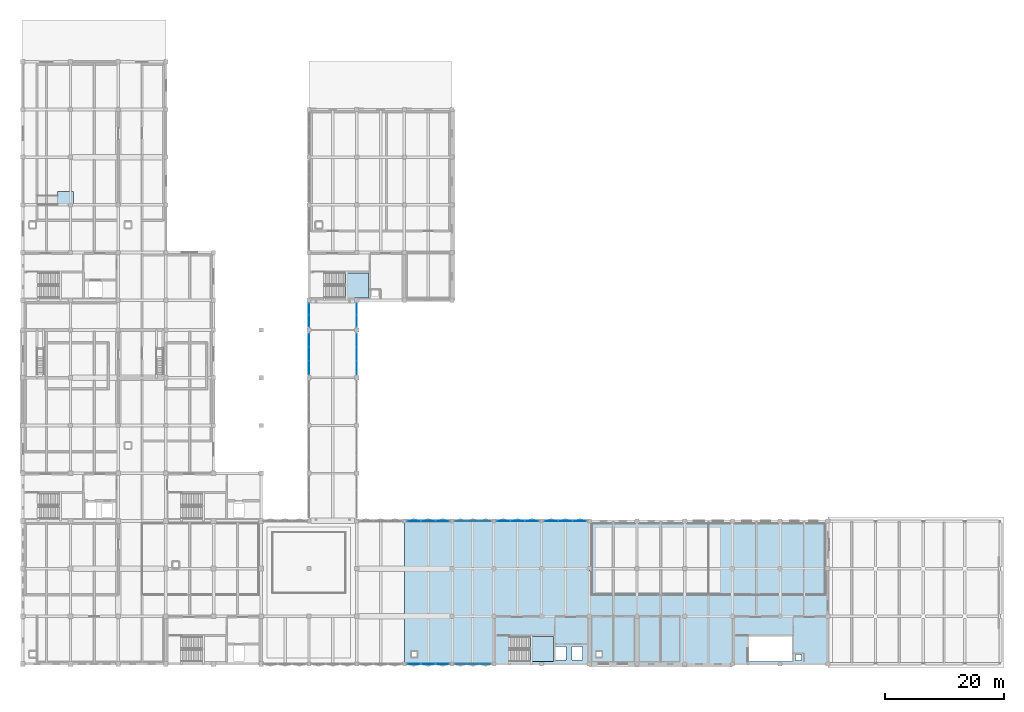
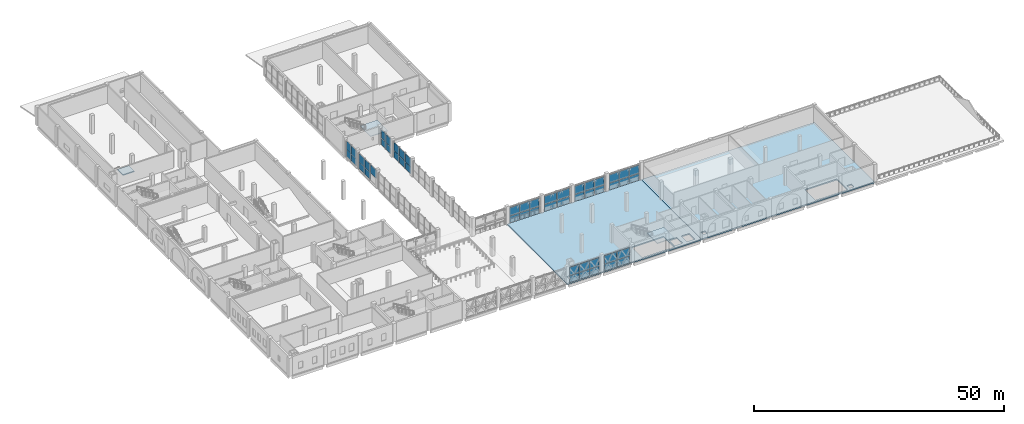
# One storey, part 21 of 45: 51 plates, 5 slabs, 12 elements without a shape of their own.
"""IFC4 building model written with IfcOpenShell, lengths in metres."""

from ifc_helpers import new_model, si_unit, direction, frame, origin, origin_2d, place, context, subcontext, project, spatial, polyline, rectangle, outline, extrude, material, layer, layer_set, type_object, element, aggregate, save


model = new_model("IFC4")

# Units and contexts
model_context = context("Model", 3, precision=1e-05, world=origin(), true_north=direction((0.0, 1.0)))
body_context = subcontext(model_context, "Body", "Model", "MODEL_VIEW")
ifc_project = project(units=[si_unit("LENGTHUNIT", "METRE"), si_unit("AREAUNIT", "SQUARE_METRE"), si_unit("VOLUMEUNIT", "CUBIC_METRE"), si_unit("PLANEANGLEUNIT", "RADIAN"), si_unit("MASSUNIT", "GRAM", prefix="KILO")], contexts=[model_context])

# Site, building, storey
site_placement = place(None, origin())
site = spatial("IfcSite", under=ifc_project, at=site_placement, CompositionType="ELEMENT")
building_placement = place(site_placement, origin())
building = spatial("IfcBuilding", under=site, at=building_placement, Name="Qorikala Patio Media Centre", CompositionType="ELEMENT")
storey_placement = place(building_placement, frame((0.0, 0.0, 9.89990234375)))
storey = spatial("IfcBuildingStorey", under=building, at=storey_placement, Name="L02", CompositionType="ELEMENT", Elevation=9.89990234375)

# Curtain wall, plates
ifc_material_1 = material(Name="Bronze Anodised Aluminium and Low-E Glass", Category="aluminium")
ifc_layer_1 = layer(ifc_material_1, 0.159912109375)
ifc_layer_set_1 = layer_set([ifc_layer_1], Name="Bronze Anodised Aluminium and Low-E Glass")
curtain_wall_type_1 = type_object("IfcCurtainWallType", Name="CW-BRG-696X385", PredefinedType="USERDEFINED", material=ifc_layer_set_1)
curtain_wall_1_placement = place(storey_placement, origin())
curtain_wall_1 = element("IfcCurtainWall", 1, at=curtain_wall_1_placement, inside=storey, type_object=curtain_wall_type_1, Name="L02 Courtyard Curtain Wall 049", ObjectType="COURTYARD CURTAIN WALL", PredefinedType="USERDEFINED")
ifc_material_2 = material(Name="Low-E Double Glazing Glass", Category="glass")
ifc_layer_2 = layer(ifc_material_2, 0.028076171875)
ifc_layer_set_2 = layer_set([ifc_layer_2], Name="Low-E Double Glazing Glass")
plate_type_1 = type_object("IfcPlateType", Name="CWP-28", PredefinedType="CURTAIN_PANEL", material=ifc_layer_set_2)
plate_1_placement = place(storey_placement, frame((51.0, 52.695068359375, 1.7626953125), z_axis=(0.0, 0.0, 1.0), x_axis=(0.0, 1.0, 0.0)))
plate_1 = element("IfcPlate", 2, at=plate_1_placement, type_object=plate_type_1, Name="CWB696385 panel 1.2", PredefinedType="CURTAIN_PANEL", context=body_context, shape_type="SweptSolid", body=[
    extrude(rectangle(XDim=2.22998046875, YDim=0.028076171875, at=origin_2d()), origin(), (0.0, 0.0, 1.0), 2.027587890625),
])
plate_2_placement = place(storey_placement, frame((51.0, 55.0, 0.06005859375), z_axis=(0.0, 0.0, 1.0), x_axis=(0.0, 1.0, 0.0)))
plate_2 = element("IfcPlate", 3, at=plate_2_placement, type_object=plate_type_1, Name="CWB696385 panel 2.1", PredefinedType="CURTAIN_PANEL", context=body_context, shape_type="SweptSolid", body=[
    extrude(rectangle(XDim=2.260009765625, YDim=0.028076171875, at=origin_2d()), origin(), (0.0, 0.0, 1.0), 1.642578125),
])
plate_3_placement = place(storey_placement, frame((51.0, 55.0, 1.7626953125), z_axis=(0.0, 0.0, 1.0), x_axis=(0.0, 1.0, 0.0)))
plate_3 = element("IfcPlate", 4, at=plate_3_placement, type_object=plate_type_1, Name="CWB696385 panel 2.2", PredefinedType="CURTAIN_PANEL", context=body_context, shape_type="SweptSolid", body=[
    extrude(rectangle(XDim=2.260009765625, YDim=0.028076171875, at=origin_2d()), origin(), (0.0, 0.0, 1.0), 2.027587890625),
])
plate_4_placement = place(storey_placement, frame((51.0, 57.304931640625, 0.06005859375), z_axis=(0.0, 0.0, 1.0), x_axis=(0.0, 1.0, 0.0)))
plate_4 = element("IfcPlate", 5, at=plate_4_placement, type_object=plate_type_1, Name="CWB696385 panel 3.1", PredefinedType="CURTAIN_PANEL", context=body_context, shape_type="SweptSolid", body=[
    extrude(rectangle(XDim=2.22998046875, YDim=0.028076171875, at=origin_2d()), origin(), (0.0, 0.0, 1.0), 1.642578125),
])
plate_5_placement = place(storey_placement, frame((51.0, 57.304931640625, 1.7626953125), z_axis=(0.0, 0.0, 1.0), x_axis=(0.0, 1.0, 0.0)))
plate_5 = element("IfcPlate", 6, at=plate_5_placement, type_object=plate_type_1, Name="CWB696385 panel 3.2", PredefinedType="CURTAIN_PANEL", context=body_context, shape_type="SweptSolid", body=[
    extrude(rectangle(XDim=2.22998046875, YDim=0.028076171875, at=origin_2d()), origin(), (0.0, 0.0, 1.0), 2.027587890625),
])
aggregate(curtain_wall_1, [plate_1, plate_2, plate_3, plate_4, plate_5])

ifc_layer_3 = layer(ifc_material_1, 0.159912109375)
ifc_layer_set_3 = layer_set([ifc_layer_3], Name="Bronze Anodised Aluminium and Low-E Glass")
curtain_wall_type_2 = type_object("IfcCurtainWallType", Name="CW-BRG-396X385", PredefinedType="USERDEFINED", material=ifc_layer_set_3)
curtain_wall_2_placement = place(storey_placement, origin())
curtain_wall_2 = element("IfcCurtainWall", 7, at=curtain_wall_2_placement, inside=storey, type_object=curtain_wall_type_2, Name="L02 Courtyard Curtain Wall 050", ObjectType="COURTYARD CURTAIN WALL", PredefinedType="USERDEFINED")
plate_6_placement = place(storey_placement, frame((51.0, 60.52490234375, 0.06005859375), z_axis=(0.0, 0.0, 1.0), x_axis=(0.0, 1.0, 0.0)))
plate_6 = element("IfcPlate", 8, at=plate_6_placement, type_object=plate_type_1, Name="CWB396385 panel 1.1", PredefinedType="CURTAIN_PANEL", context=body_context, shape_type="SweptSolid", body=[
    extrude(rectangle(XDim=1.889892578125, YDim=0.028076171875, at=origin_2d()), origin(), (0.0, 0.0, 1.0), 1.642578125),
])
plate_7_placement = place(storey_placement, frame((51.0, 60.52490234375, 1.7626953125), z_axis=(0.0, 0.0, 1.0), x_axis=(0.0, 1.0, 0.0)))
plate_7 = element("IfcPlate", 9, at=plate_7_placement, type_object=plate_type_1, Name="CWB396385 panel 1.2", PredefinedType="CURTAIN_PANEL", context=body_context, shape_type="SweptSolid", body=[
    extrude(rectangle(XDim=1.889892578125, YDim=0.028076171875, at=origin_2d()), origin(), (0.0, 0.0, 1.0), 2.027587890625),
])
plate_8_placement = place(storey_placement, frame((51.0, 62.47509765625, 0.06005859375), z_axis=(0.0, 0.0, 1.0), x_axis=(0.0, 1.0, 0.0)))
plate_8 = element("IfcPlate", 10, at=plate_8_placement, type_object=plate_type_1, Name="CWB396385 panel 2.1", PredefinedType="CURTAIN_PANEL", context=body_context, shape_type="SweptSolid", body=[
    extrude(rectangle(XDim=1.889892578125, YDim=0.028076171875, at=origin_2d()), origin(), (0.0, 0.0, 1.0), 1.642578125),
])
plate_9_placement = place(storey_placement, frame((51.0, 62.47509765625, 1.7626953125), z_axis=(0.0, 0.0, 1.0), x_axis=(0.0, 1.0, 0.0)))
plate_9 = element("IfcPlate", 11, at=plate_9_placement, type_object=plate_type_1, Name="CWB396385 panel 2.2", PredefinedType="CURTAIN_PANEL", context=body_context, shape_type="SweptSolid", body=[
    extrude(rectangle(XDim=1.889892578125, YDim=0.028076171875, at=origin_2d()), origin(), (0.0, 0.0, 1.0), 2.027587890625),
])
aggregate(curtain_wall_2, [plate_6, plate_7, plate_8, plate_9])

curtain_wall_3_placement = place(storey_placement, origin())
curtain_wall_3 = element("IfcCurtainWall", 12, at=curtain_wall_3_placement, inside=storey, type_object=curtain_wall_type_2, Name="L02 Courtyard Curtain Wall 054", ObjectType="COURTYARD CURTAIN WALL", PredefinedType="USERDEFINED")
plate_10_placement = place(storey_placement, frame((59.0, 62.47509765625, 0.06005859375), z_axis=(0.0, 0.0, 1.0), x_axis=(0.0, -1.0, 0.0)))
plate_10 = element("IfcPlate", 13, at=plate_10_placement, type_object=plate_type_1, Name="CWB396385 panel 1.1", PredefinedType="CURTAIN_PANEL", context=body_context, shape_type="SweptSolid", body=[
    extrude(rectangle(XDim=1.889892578125, YDim=0.028076171875, at=origin_2d()), origin(), (0.0, 0.0, 1.0), 1.642578125),
])
plate_11_placement = place(storey_placement, frame((59.0, 62.47509765625, 1.7626953125), z_axis=(0.0, 0.0, 1.0), x_axis=(0.0, -1.0, 0.0)))
plate_11 = element("IfcPlate", 14, at=plate_11_placement, type_object=plate_type_1, Name="CWB396385 panel 1.2", PredefinedType="CURTAIN_PANEL", context=body_context, shape_type="SweptSolid", body=[
    extrude(rectangle(XDim=1.889892578125, YDim=0.028076171875, at=origin_2d()), origin(), (0.0, 0.0, 1.0), 2.027587890625),
])
plate_12_placement = place(storey_placement, frame((59.0, 60.52490234375, 0.06005859375), z_axis=(0.0, 0.0, 1.0), x_axis=(0.0, -1.0, 0.0)))
plate_12 = element("IfcPlate", 15, at=plate_12_placement, type_object=plate_type_1, Name="CWB396385 panel 2.1", PredefinedType="CURTAIN_PANEL", context=body_context, shape_type="SweptSolid", body=[
    extrude(rectangle(XDim=1.889892578125, YDim=0.028076171875, at=origin_2d()), origin(), (0.0, 0.0, 1.0), 1.642578125),
])
plate_13_placement = place(storey_placement, frame((59.0, 60.52490234375, 1.7626953125), z_axis=(0.0, 0.0, 1.0), x_axis=(0.0, -1.0, 0.0)))
plate_13 = element("IfcPlate", 16, at=plate_13_placement, type_object=plate_type_1, Name="CWB396385 panel 2.2", PredefinedType="CURTAIN_PANEL", context=body_context, shape_type="SweptSolid", body=[
    extrude(rectangle(XDim=1.889892578125, YDim=0.028076171875, at=origin_2d()), origin(), (0.0, 0.0, 1.0), 2.027587890625),
])
aggregate(curtain_wall_3, [plate_10, plate_11, plate_12, plate_13])

curtain_wall_4_placement = place(storey_placement, origin())
curtain_wall_4 = element("IfcCurtainWall", 17, at=curtain_wall_4_placement, inside=storey, type_object=curtain_wall_type_1, Name="L02 Courtyard Curtain Wall 055", ObjectType="COURTYARD CURTAIN WALL", PredefinedType="USERDEFINED")
plate_14_placement = place(storey_placement, frame((59.0, 57.304931640625, 0.06005859375), z_axis=(0.0, 0.0, 1.0), x_axis=(0.0, -1.0, 0.0)))
plate_14 = element("IfcPlate", 18, at=plate_14_placement, type_object=plate_type_1, Name="CWB696385 panel 1.1", PredefinedType="CURTAIN_PANEL", context=body_context, shape_type="SweptSolid", body=[
    extrude(rectangle(XDim=2.22998046875, YDim=0.028076171875, at=origin_2d()), origin(), (0.0, 0.0, 1.0), 1.642578125),
])
plate_15_placement = place(storey_placement, frame((59.0, 57.304931640625, 1.7626953125), z_axis=(0.0, 0.0, 1.0), x_axis=(0.0, -1.0, 0.0)))
plate_15 = element("IfcPlate", 19, at=plate_15_placement, type_object=plate_type_1, Name="CWB696385 panel 1.2", PredefinedType="CURTAIN_PANEL", context=body_context, shape_type="SweptSolid", body=[
    extrude(rectangle(XDim=2.22998046875, YDim=0.028076171875, at=origin_2d()), origin(), (0.0, 0.0, 1.0), 2.027587890625),
])
plate_16_placement = place(storey_placement, frame((59.0, 55.0, 0.06005859375), z_axis=(0.0, 0.0, 1.0), x_axis=(0.0, -1.0, 0.0)))
plate_16 = element("IfcPlate", 20, at=plate_16_placement, type_object=plate_type_1, Name="CWB696385 panel 2.1", PredefinedType="CURTAIN_PANEL", context=body_context, shape_type="SweptSolid", body=[
    extrude(rectangle(XDim=2.260009765625, YDim=0.028076171875, at=origin_2d()), origin(), (0.0, 0.0, 1.0), 1.642578125),
])
plate_17_placement = place(storey_placement, frame((59.0, 55.0, 1.7626953125), z_axis=(0.0, 0.0, 1.0), x_axis=(0.0, -1.0, 0.0)))
plate_17 = element("IfcPlate", 21, at=plate_17_placement, type_object=plate_type_1, Name="CWB696385 panel 2.2", PredefinedType="CURTAIN_PANEL", context=body_context, shape_type="SweptSolid", body=[
    extrude(rectangle(XDim=2.260009765625, YDim=0.028076171875, at=origin_2d()), origin(), (0.0, 0.0, 1.0), 2.027587890625),
])
plate_18_placement = place(storey_placement, frame((59.0, 52.695068359375, 0.06005859375), z_axis=(0.0, 0.0, 1.0), x_axis=(0.0, -1.0, 0.0)))
plate_18 = element("IfcPlate", 22, at=plate_18_placement, type_object=plate_type_1, Name="CWB696385 panel 3.1", PredefinedType="CURTAIN_PANEL", context=body_context, shape_type="SweptSolid", body=[
    extrude(rectangle(XDim=2.22998046875, YDim=0.028076171875, at=origin_2d()), origin(), (0.0, 0.0, 1.0), 1.642578125),
])
plate_19_placement = place(storey_placement, frame((59.0, 52.695068359375, 1.7626953125), z_axis=(0.0, 0.0, 1.0), x_axis=(0.0, -1.0, 0.0)))
plate_19 = element("IfcPlate", 23, at=plate_19_placement, type_object=plate_type_1, Name="CWB696385 panel 3.2", PredefinedType="CURTAIN_PANEL", context=body_context, shape_type="SweptSolid", body=[
    extrude(rectangle(XDim=2.22998046875, YDim=0.028076171875, at=origin_2d()), origin(), (0.0, 0.0, 1.0), 2.027587890625),
])
aggregate(curtain_wall_4, [plate_14, plate_15, plate_16, plate_17, plate_18, plate_19])

ifc_material_3 = material(Name="Golden Bronze Anodised Aluminium and Low-E Glass", Category="aluminium")
ifc_layer_4 = layer(ifc_material_3, 0.159912109375)
ifc_layer_set_4 = layer_set([ifc_layer_4], Name="Golden Bronze Anodised Aluminium and Low-E Glass")
curtain_wall_type_3 = type_object("IfcCurtainWallType", Name="CW-DIA-596X385", PredefinedType="USERDEFINED", material=ifc_layer_set_4)
curtain_wall_5_placement = place(storey_placement, origin())
curtain_wall_5 = element("IfcCurtainWall", 24, at=curtain_wall_5_placement, inside=storey, type_object=curtain_wall_type_3, Name="L02 Courtyard Curtain Wall 040", ObjectType="COURTYARD CURTAIN WALL", PredefinedType="USERDEFINED")
ifc_material_4 = material(Name="Solar-Control Diamond Facet Glass", Category="glass")
ifc_layer_5 = layer(ifc_material_4, 0.035888671875)
ifc_layer_set_5 = layer_set([ifc_layer_5], Name="Solar-Control Diamond Facet Glass")
plate_type_2 = type_object("IfcPlateType", Name="CWP-36", PredefinedType="CURTAIN_PANEL", material=ifc_layer_set_5)
plate_20_placement = place(storey_placement, frame((79.9736328125, 3.0, 0.06494140625), z_axis=(0.0, 0.0, 1.0), x_axis=(-1.0, 0.0, 0.0)))
plate_20 = element("IfcPlate", 25, at=plate_20_placement, type_object=plate_type_2, Name="CWD596385 panel 1.1", PredefinedType="CURTAIN_PANEL", context=body_context, shape_type="SweptSolid", body=[
    extrude(rectangle(XDim=2.882568359375, YDim=0.035888671875, at=origin_2d()), origin(), (0.0, 0.0, 1.0), 1.635009765625),
])
plate_21_placement = place(storey_placement, frame((79.9736328125, 3.0, 1.76513671875), z_axis=(0.0, 0.0, 1.0), x_axis=(-1.0, 0.0, 0.0)))
plate_21 = element("IfcPlate", 26, at=plate_21_placement, type_object=plate_type_2, Name="CWD596385 panel 1.2", PredefinedType="CURTAIN_PANEL", context=body_context, shape_type="SweptSolid", body=[
    extrude(rectangle(XDim=2.882568359375, YDim=0.035888671875, at=origin_2d()), origin(), (0.0, 0.0, 1.0), 2.02001953125),
])
plate_22_placement = place(storey_placement, frame((77.0263671875, 3.0, 0.06494140625), z_axis=(0.0, 0.0, 1.0), x_axis=(-1.0, 0.0, 0.0)))
plate_22 = element("IfcPlate", 27, at=plate_22_placement, type_object=plate_type_2, Name="CWD596385 panel 2.1", PredefinedType="CURTAIN_PANEL", context=body_context, shape_type="SweptSolid", body=[
    extrude(rectangle(XDim=2.882568359375, YDim=0.035888671875, at=origin_2d()), origin(), (0.0, 0.0, 1.0), 1.635009765625),
])
plate_23_placement = place(storey_placement, frame((77.0263671875, 3.0, 1.76513671875), z_axis=(0.0, 0.0, 1.0), x_axis=(-1.0, 0.0, 0.0)))
plate_23 = element("IfcPlate", 28, at=plate_23_placement, type_object=plate_type_2, Name="CWD596385 panel 2.2", PredefinedType="CURTAIN_PANEL", context=body_context, shape_type="SweptSolid", body=[
    extrude(rectangle(XDim=2.882568359375, YDim=0.035888671875, at=origin_2d()), origin(), (0.0, 0.0, 1.0), 2.02001953125),
])
aggregate(curtain_wall_5, [plate_20, plate_21, plate_22, plate_23])

ifc_layer_6 = layer(ifc_material_3, 0.159912109375)
ifc_layer_set_6 = layer_set([ifc_layer_6], Name="Golden Bronze Anodised Aluminium and Low-E Glass")
curtain_wall_type_4 = type_object("IfcCurtainWallType", Name="CW-DIA-696X385", PredefinedType="USERDEFINED", material=ifc_layer_set_6)
curtain_wall_6_placement = place(storey_placement, origin())
curtain_wall_6 = element("IfcCurtainWall", 29, at=curtain_wall_6_placement, inside=storey, type_object=curtain_wall_type_4, Name="L02 Courtyard Curtain Wall 041", ObjectType="COURTYARD CURTAIN WALL", PredefinedType="USERDEFINED")
plate_24_placement = place(storey_placement, frame((73.3037109375, 3.0, 0.06494140625), z_axis=(0.0, 0.0, 1.0), x_axis=(-1.0, 0.0, 0.0)))
plate_24 = element("IfcPlate", 30, at=plate_24_placement, type_object=plate_type_2, Name="CWD696385 panel 1.1", PredefinedType="CURTAIN_PANEL", context=body_context, shape_type="SweptSolid", body=[
    extrude(rectangle(XDim=2.222412109375, YDim=0.035888671875, at=origin_2d()), origin(), (0.0, 0.0, 1.0), 1.635009765625),
])
plate_25_placement = place(storey_placement, frame((73.3037109375, 3.0, 1.76513671875), z_axis=(0.0, 0.0, 1.0), x_axis=(-1.0, 0.0, 0.0)))
plate_25 = element("IfcPlate", 31, at=plate_25_placement, type_object=plate_type_2, Name="CWD696385 panel 1.2", PredefinedType="CURTAIN_PANEL", context=body_context, shape_type="SweptSolid", body=[
    extrude(rectangle(XDim=2.222412109375, YDim=0.035888671875, at=origin_2d()), origin(), (0.0, 0.0, 1.0), 2.02001953125),
])
plate_26_placement = place(storey_placement, frame((71.0, 3.0, 0.06494140625), z_axis=(0.0, 0.0, 1.0), x_axis=(-1.0, 0.0, 0.0)))
plate_26 = element("IfcPlate", 32, at=plate_26_placement, type_object=plate_type_2, Name="CWD696385 panel 2.1", PredefinedType="CURTAIN_PANEL", context=body_context, shape_type="SweptSolid", body=[
    extrude(rectangle(XDim=2.2548828125, YDim=0.035888671875, at=origin_2d()), origin(), (0.0, 0.0, 1.0), 1.635009765625),
])
plate_27_placement = place(storey_placement, frame((71.0, 3.0, 1.76513671875), z_axis=(0.0, 0.0, 1.0), x_axis=(-1.0, 0.0, 0.0)))
plate_27 = element("IfcPlate", 33, at=plate_27_placement, type_object=plate_type_2, Name="CWD696385 panel 2.2", PredefinedType="CURTAIN_PANEL", context=body_context, shape_type="SweptSolid", body=[
    extrude(rectangle(XDim=2.2548828125, YDim=0.035888671875, at=origin_2d()), origin(), (0.0, 0.0, 1.0), 2.02001953125),
])
plate_28_placement = place(storey_placement, frame((68.6962890625, 3.0, 0.06494140625), z_axis=(0.0, 0.0, 1.0), x_axis=(-1.0, 0.0, 0.0)))
plate_28 = element("IfcPlate", 34, at=plate_28_placement, type_object=plate_type_2, Name="CWD696385 panel 3.1", PredefinedType="CURTAIN_PANEL", context=body_context, shape_type="SweptSolid", body=[
    extrude(rectangle(XDim=2.222412109375, YDim=0.035888671875, at=origin_2d()), origin(), (0.0, 0.0, 1.0), 1.635009765625),
])
plate_29_placement = place(storey_placement, frame((68.6962890625, 3.0, 1.76513671875), z_axis=(0.0, 0.0, 1.0), x_axis=(-1.0, 0.0, 0.0)))
plate_29 = element("IfcPlate", 35, at=plate_29_placement, type_object=plate_type_2, Name="CWD696385 panel 3.2", PredefinedType="CURTAIN_PANEL", context=body_context, shape_type="SweptSolid", body=[
    extrude(rectangle(XDim=2.222412109375, YDim=0.035888671875, at=origin_2d()), origin(), (0.0, 0.0, 1.0), 2.02001953125),
])
aggregate(curtain_wall_6, [plate_24, plate_25, plate_26, plate_27, plate_28, plate_29])

curtain_wall_7_placement = place(storey_placement, origin())
curtain_wall_7 = element("IfcCurtainWall", 36, at=curtain_wall_7_placement, inside=storey, type_object=curtain_wall_type_4, Name="L02 Courtyard Curtain Wall 060", ObjectType="COURTYARD CURTAIN WALL", PredefinedType="USERDEFINED")
plate_30_placement = place(storey_placement, frame((68.6962890625, 27.0, 0.06494140625), z_axis=(0.0, 0.0, 1.0), x_axis=(1.0, 0.0, 0.0)))
plate_30 = element("IfcPlate", 37, at=plate_30_placement, type_object=plate_type_2, Name="CWD696385 panel 1.1", PredefinedType="CURTAIN_PANEL", context=body_context, shape_type="SweptSolid", body=[
    extrude(rectangle(XDim=2.222412109375, YDim=0.035888671875, at=origin_2d()), origin(), (0.0, 0.0, 1.0), 1.635009765625),
])
plate_31_placement = place(storey_placement, frame((68.6962890625, 27.0, 1.76513671875), z_axis=(0.0, 0.0, 1.0), x_axis=(1.0, 0.0, 0.0)))
plate_31 = element("IfcPlate", 38, at=plate_31_placement, type_object=plate_type_2, Name="CWD696385 panel 1.2", PredefinedType="CURTAIN_PANEL", context=body_context, shape_type="SweptSolid", body=[
    extrude(rectangle(XDim=2.222412109375, YDim=0.035888671875, at=origin_2d()), origin(), (0.0, 0.0, 1.0), 2.02001953125),
])
plate_32_placement = place(storey_placement, frame((71.0, 27.0, 0.06494140625), z_axis=(0.0, 0.0, 1.0), x_axis=(1.0, 0.0, 0.0)))
plate_32 = element("IfcPlate", 39, at=plate_32_placement, type_object=plate_type_2, Name="CWD696385 panel 2.1", PredefinedType="CURTAIN_PANEL", context=body_context, shape_type="SweptSolid", body=[
    extrude(rectangle(XDim=2.2548828125, YDim=0.035888671875, at=origin_2d()), origin(), (0.0, 0.0, 1.0), 1.635009765625),
])
plate_33_placement = place(storey_placement, frame((71.0, 27.0, 1.76513671875), z_axis=(0.0, 0.0, 1.0), x_axis=(1.0, 0.0, 0.0)))
plate_33 = element("IfcPlate", 40, at=plate_33_placement, type_object=plate_type_2, Name="CWD696385 panel 2.2", PredefinedType="CURTAIN_PANEL", context=body_context, shape_type="SweptSolid", body=[
    extrude(rectangle(XDim=2.2548828125, YDim=0.035888671875, at=origin_2d()), origin(), (0.0, 0.0, 1.0), 2.02001953125),
])
plate_34_placement = place(storey_placement, frame((73.3037109375, 27.0, 0.06494140625), z_axis=(0.0, 0.0, 1.0), x_axis=(1.0, 0.0, 0.0)))
plate_34 = element("IfcPlate", 41, at=plate_34_placement, type_object=plate_type_2, Name="CWD696385 panel 3.1", PredefinedType="CURTAIN_PANEL", context=body_context, shape_type="SweptSolid", body=[
    extrude(rectangle(XDim=2.222412109375, YDim=0.035888671875, at=origin_2d()), origin(), (0.0, 0.0, 1.0), 1.635009765625),
])
plate_35_placement = place(storey_placement, frame((73.3037109375, 27.0, 1.76513671875), z_axis=(0.0, 0.0, 1.0), x_axis=(1.0, 0.0, 0.0)))
plate_35 = element("IfcPlate", 42, at=plate_35_placement, type_object=plate_type_2, Name="CWD696385 panel 3.2", PredefinedType="CURTAIN_PANEL", context=body_context, shape_type="SweptSolid", body=[
    extrude(rectangle(XDim=2.222412109375, YDim=0.035888671875, at=origin_2d()), origin(), (0.0, 0.0, 1.0), 2.02001953125),
])
aggregate(curtain_wall_7, [plate_30, plate_31, plate_32, plate_33, plate_34, plate_35])

curtain_wall_8_placement = place(storey_placement, origin())
curtain_wall_8 = element("IfcCurtainWall", 43, at=curtain_wall_8_placement, inside=storey, type_object=curtain_wall_type_3, Name="L02 Courtyard Curtain Wall 061", ObjectType="COURTYARD CURTAIN WALL", PredefinedType="USERDEFINED")
plate_36_placement = place(storey_placement, frame((77.0263671875, 27.0, 0.06494140625), z_axis=(0.0, 0.0, 1.0), x_axis=(1.0, 0.0, 0.0)))
plate_36 = element("IfcPlate", 44, at=plate_36_placement, type_object=plate_type_2, Name="CWD596385 panel 1.1", PredefinedType="CURTAIN_PANEL", context=body_context, shape_type="SweptSolid", body=[
    extrude(rectangle(XDim=2.882568359375, YDim=0.035888671875, at=origin_2d()), origin(), (0.0, 0.0, 1.0), 1.635009765625),
])
plate_37_placement = place(storey_placement, frame((77.0263671875, 27.0, 1.76513671875), z_axis=(0.0, 0.0, 1.0), x_axis=(1.0, 0.0, 0.0)))
plate_37 = element("IfcPlate", 45, at=plate_37_placement, type_object=plate_type_2, Name="CWD596385 panel 1.2", PredefinedType="CURTAIN_PANEL", context=body_context, shape_type="SweptSolid", body=[
    extrude(rectangle(XDim=2.882568359375, YDim=0.035888671875, at=origin_2d()), origin(), (0.0, 0.0, 1.0), 2.02001953125),
])
plate_38_placement = place(storey_placement, frame((79.9736328125, 27.0, 0.06494140625), z_axis=(0.0, 0.0, 1.0), x_axis=(1.0, 0.0, 0.0)))
plate_38 = element("IfcPlate", 46, at=plate_38_placement, type_object=plate_type_2, Name="CWD596385 panel 2.1", PredefinedType="CURTAIN_PANEL", context=body_context, shape_type="SweptSolid", body=[
    extrude(rectangle(XDim=2.882568359375, YDim=0.035888671875, at=origin_2d()), origin(), (0.0, 0.0, 1.0), 1.635009765625),
])
plate_39_placement = place(storey_placement, frame((79.9736328125, 27.0, 1.76513671875), z_axis=(0.0, 0.0, 1.0), x_axis=(1.0, 0.0, 0.0)))
plate_39 = element("IfcPlate", 47, at=plate_39_placement, type_object=plate_type_2, Name="CWD596385 panel 2.2", PredefinedType="CURTAIN_PANEL", context=body_context, shape_type="SweptSolid", body=[
    extrude(rectangle(XDim=2.882568359375, YDim=0.035888671875, at=origin_2d()), origin(), (0.0, 0.0, 1.0), 2.02001953125),
])
aggregate(curtain_wall_8, [plate_36, plate_37, plate_38, plate_39])

curtain_wall_9_placement = place(storey_placement, origin())
curtain_wall_9 = element("IfcCurtainWall", 48, at=curtain_wall_9_placement, inside=storey, type_object=curtain_wall_type_4, Name="L02 Courtyard Curtain Wall 062", ObjectType="COURTYARD CURTAIN WALL", PredefinedType="USERDEFINED")
plate_40_placement = place(storey_placement, frame((83.6962890625, 27.0, 0.06494140625), z_axis=(0.0, 0.0, 1.0), x_axis=(1.0, 0.0, 0.0)))
plate_40 = element("IfcPlate", 49, at=plate_40_placement, type_object=plate_type_2, Name="CWD696385 panel 1.1", PredefinedType="CURTAIN_PANEL", context=body_context, shape_type="SweptSolid", body=[
    extrude(rectangle(XDim=2.222412109375, YDim=0.035888671875, at=origin_2d()), origin(), (0.0, 0.0, 1.0), 1.635009765625),
])
plate_41_placement = place(storey_placement, frame((83.6962890625, 27.0, 1.76513671875), z_axis=(0.0, 0.0, 1.0), x_axis=(1.0, 0.0, 0.0)))
plate_41 = element("IfcPlate", 50, at=plate_41_placement, type_object=plate_type_2, Name="CWD696385 panel 1.2", PredefinedType="CURTAIN_PANEL", context=body_context, shape_type="SweptSolid", body=[
    extrude(rectangle(XDim=2.222412109375, YDim=0.035888671875, at=origin_2d()), origin(), (0.0, 0.0, 1.0), 2.02001953125),
])
plate_42_placement = place(storey_placement, frame((86.0, 27.0, 0.06494140625), z_axis=(0.0, 0.0, 1.0), x_axis=(1.0, 0.0, 0.0)))
plate_42 = element("IfcPlate", 51, at=plate_42_placement, type_object=plate_type_2, Name="CWD696385 panel 2.1", PredefinedType="CURTAIN_PANEL", context=body_context, shape_type="SweptSolid", body=[
    extrude(rectangle(XDim=2.2548828125, YDim=0.035888671875, at=origin_2d()), origin(), (0.0, 0.0, 1.0), 1.635009765625),
])
plate_43_placement = place(storey_placement, frame((86.0, 27.0, 1.76513671875), z_axis=(0.0, 0.0, 1.0), x_axis=(1.0, 0.0, 0.0)))
plate_43 = element("IfcPlate", 52, at=plate_43_placement, type_object=plate_type_2, Name="CWD696385 panel 2.2", PredefinedType="CURTAIN_PANEL", context=body_context, shape_type="SweptSolid", body=[
    extrude(rectangle(XDim=2.2548828125, YDim=0.035888671875, at=origin_2d()), origin(), (0.0, 0.0, 1.0), 2.02001953125),
])
plate_44_placement = place(storey_placement, frame((88.3037109375, 27.0, 0.06494140625), z_axis=(0.0, 0.0, 1.0), x_axis=(1.0, 0.0, 0.0)))
plate_44 = element("IfcPlate", 53, at=plate_44_placement, type_object=plate_type_2, Name="CWD696385 panel 3.1", PredefinedType="CURTAIN_PANEL", context=body_context, shape_type="SweptSolid", body=[
    extrude(rectangle(XDim=2.222412109375, YDim=0.035888671875, at=origin_2d()), origin(), (0.0, 0.0, 1.0), 1.635009765625),
])
plate_45_placement = place(storey_placement, frame((88.3037109375, 27.0, 1.76513671875), z_axis=(0.0, 0.0, 1.0), x_axis=(1.0, 0.0, 0.0)))
plate_45 = element("IfcPlate", 54, at=plate_45_placement, type_object=plate_type_2, Name="CWD696385 panel 3.2", PredefinedType="CURTAIN_PANEL", context=body_context, shape_type="SweptSolid", body=[
    extrude(rectangle(XDim=2.222412109375, YDim=0.035888671875, at=origin_2d()), origin(), (0.0, 0.0, 1.0), 2.02001953125),
])
aggregate(curtain_wall_9, [plate_40, plate_41, plate_42, plate_43, plate_44, plate_45])

curtain_wall_10_placement = place(storey_placement, origin())
curtain_wall_10 = element("IfcCurtainWall", 55, at=curtain_wall_10_placement, inside=storey, type_object=curtain_wall_type_4, Name="L02 Courtyard Curtain Wall 063", ObjectType="COURTYARD CURTAIN WALL", PredefinedType="USERDEFINED")
plate_46_placement = place(storey_placement, frame((91.6962890625, 27.0, 0.06494140625), z_axis=(0.0, 0.0, 1.0), x_axis=(1.0, 0.0, 0.0)))
plate_46 = element("IfcPlate", 56, at=plate_46_placement, type_object=plate_type_2, Name="CWD696385 panel 1.1", PredefinedType="CURTAIN_PANEL", context=body_context, shape_type="SweptSolid", body=[
    extrude(rectangle(XDim=2.222412109375, YDim=0.035888671875, at=origin_2d()), origin(), (0.0, 0.0, 1.0), 1.635009765625),
])
plate_47_placement = place(storey_placement, frame((91.6962890625, 27.0, 1.76513671875), z_axis=(0.0, 0.0, 1.0), x_axis=(1.0, 0.0, 0.0)))
plate_47 = element("IfcPlate", 57, at=plate_47_placement, type_object=plate_type_2, Name="CWD696385 panel 1.2", PredefinedType="CURTAIN_PANEL", context=body_context, shape_type="SweptSolid", body=[
    extrude(rectangle(XDim=2.222412109375, YDim=0.035888671875, at=origin_2d()), origin(), (0.0, 0.0, 1.0), 2.02001953125),
])
plate_48_placement = place(storey_placement, frame((94.0, 27.0, 0.06494140625), z_axis=(0.0, 0.0, 1.0), x_axis=(1.0, 0.0, 0.0)))
plate_48 = element("IfcPlate", 58, at=plate_48_placement, type_object=plate_type_2, Name="CWD696385 panel 2.1", PredefinedType="CURTAIN_PANEL", context=body_context, shape_type="SweptSolid", body=[
    extrude(rectangle(XDim=2.2548828125, YDim=0.035888671875, at=origin_2d()), origin(), (0.0, 0.0, 1.0), 1.635009765625),
])
plate_49_placement = place(storey_placement, frame((94.0, 27.0, 1.76513671875), z_axis=(0.0, 0.0, 1.0), x_axis=(1.0, 0.0, 0.0)))
plate_49 = element("IfcPlate", 59, at=plate_49_placement, type_object=plate_type_2, Name="CWD696385 panel 2.2", PredefinedType="CURTAIN_PANEL", context=body_context, shape_type="SweptSolid", body=[
    extrude(rectangle(XDim=2.2548828125, YDim=0.035888671875, at=origin_2d()), origin(), (0.0, 0.0, 1.0), 2.02001953125),
])
plate_50_placement = place(storey_placement, frame((96.3037109375, 27.0, 0.06494140625), z_axis=(0.0, 0.0, 1.0), x_axis=(1.0, 0.0, 0.0)))
plate_50 = element("IfcPlate", 60, at=plate_50_placement, type_object=plate_type_2, Name="CWD696385 panel 3.1", PredefinedType="CURTAIN_PANEL", context=body_context, shape_type="SweptSolid", body=[
    extrude(rectangle(XDim=2.222412109375, YDim=0.035888671875, at=origin_2d()), origin(), (0.0, 0.0, 1.0), 1.635009765625),
])
plate_51_placement = place(storey_placement, frame((96.3037109375, 27.0, 1.76513671875), z_axis=(0.0, 0.0, 1.0), x_axis=(1.0, 0.0, 0.0)))
plate_51 = element("IfcPlate", 61, at=plate_51_placement, type_object=plate_type_2, Name="CWD696385 panel 3.2", PredefinedType="CURTAIN_PANEL", context=body_context, shape_type="SweptSolid", body=[
    extrude(rectangle(XDim=2.222412109375, YDim=0.035888671875, at=origin_2d()), origin(), (0.0, 0.0, 1.0), 2.02001953125),
])
aggregate(curtain_wall_10, [plate_46, plate_47, plate_48, plate_49, plate_50, plate_51])

# Slabs
ifc_material_5 = material(Name="Concrete C35/45", Category="concrete")
ifc_layer_7 = layer(ifc_material_5, 0.300048828125)
ifc_layer_set_7 = layer_set([ifc_layer_7], Name="Concrete C35/45")
slab_type_1 = type_object("IfcSlabType", Name="SL-FLOOR-300", PredefinedType="FLOOR", material=ifc_layer_set_7)
slab_1_placement = place(storey_placement, frame((0.0, 0.0, -0.2998046875)))
element("IfcSlab", 62, at=slab_1_placement, inside=storey, type_object=slab_type_1, Name="L02 V2B Slab 4.1", PredefinedType="FLOOR", context=body_context, shape_type="SweptSolid", body=[
    extrude(outline(polyline([(98.0, 3.0), (67.0, 3.0), (67.0, 27.0), (98.0, 27.0), (98.0, 3.0)]), holes=[polyline([(68.199951171875, 4.199951171875), (69.10009765625, 4.199951171875), (69.10009765625, 5.10009765625), (68.199951171875, 5.10009765625), (68.199951171875, 4.199951171875)]), polyline([(92.320068359375, 3.669921875), (94.080078125, 3.669921875), (94.080078125, 5.929931640625), (92.320068359375, 5.929931640625), (92.320068359375, 3.669921875)]), polyline([(95.1201171875, 3.669921875), (96.8798828125, 3.669921875), (96.8798828125, 5.929931640625), (95.1201171875, 5.929931640625), (95.1201171875, 3.669921875)]), polyline([(92.0, 3.39990234375), (92.0, 7.60009765625), (84.60009765625, 7.60009765625), (84.60009765625, 3.39990234375), (92.0, 3.39990234375)])]), origin(), (0.0, 0.0, 1.0), 0.2998046875),
])
slab_2_placement = place(storey_placement, frame((0.0, 0.0, -0.2998046875)))
element("IfcSlab", 63, at=slab_2_placement, inside=storey, type_object=slab_type_1, Name="L02 V7A Slab 9.1", PredefinedType="FLOOR", context=body_context, shape_type="SweptSolid", body=[
    extrude(outline(polyline([(138.0, 3.0), (98.0, 3.0), (98.0, 27.0), (138.0, 27.0), (138.0, 3.0)]), holes=[polyline([(132.60009765625, 3.60009765625), (133.60009765625, 3.60009765625), (133.60009765625, 4.60009765625), (132.60009765625, 4.60009765625), (132.60009765625, 3.60009765625)]), polyline([(100.10009765625, 4.199951171875), (100.10009765625, 5.10009765625), (99.199951171875, 5.10009765625), (99.199951171875, 4.199951171875), (100.10009765625, 4.199951171875)]), polyline([(124.60009765625, 3.39990234375), (132.0, 3.39990234375), (132.0, 7.60009765625), (124.60009765625, 7.60009765625), (124.60009765625, 3.39990234375)])]), origin(), (0.0, 0.0, 1.0), 0.2998046875),
])

# Stair, slab
ifc_material_6 = material(Name="Precast concrete C40/50", Category="concrete")
stair_type = type_object("IfcStairType", Name="ST-DL-26R173W200", PredefinedType="HALF_TURN_STAIR", material=ifc_material_6)
stair_1_placement = place(storey_placement, origin())
stair_1 = element("IfcStair", 64, at=stair_1_placement, inside=storey, type_object=stair_type, Name="L02 Core C4 Exit Stair ST-4", PredefinedType="HALF_TURN_STAIR")
ifc_layer_8 = layer(ifc_material_6, 0.199951171875)
ifc_layer_set_8 = layer_set([ifc_layer_8], Name="Precast concrete C40/50")
slab_type_2 = type_object("IfcSlabType", Name="SL-LAND-200", PredefinedType="LANDING", material=ifc_layer_set_8)
slab_3_placement = place(storey_placement, frame((0.0, 0.0, 2.050048828125)))
slab_3 = element("IfcSlab", 65, at=slab_3_placement, type_object=slab_type_2, Name="ST-4 landing 1", PredefinedType="LANDING", context=body_context, shape_type="SweptSolid", body=[
    extrude(outline(polyline([(88.080078125, 3.39990234375), (92.0, 3.39990234375), (92.0, 7.60009765625), (88.080078125, 7.60009765625), (88.080078125, 3.39990234375)])), origin(), (0.0, 0.0, 1.0), 0.199951171875),
])
aggregate(stair_1, [slab_3])

stair_2_placement = place(storey_placement, origin())
stair_2 = element("IfcStair", 66, at=stair_2_placement, inside=storey, type_object=stair_type, Name="L02 Core C6 Exit Stair ST-6", PredefinedType="HALF_TURN_STAIR")
slab_4_placement = place(storey_placement, frame((0.0, 0.0, 2.050048828125)))
slab_4 = element("IfcSlab", 67, at=slab_4_placement, type_object=slab_type_2, Name="ST-6 landing 1", PredefinedType="LANDING", context=body_context, shape_type="SweptSolid", body=[
    extrude(outline(polyline([(57.080078125, 64.39990234375), (61.0, 64.39990234375), (61.0, 68.60009765625), (57.080078125, 68.60009765625), (57.080078125, 64.39990234375)])), origin(), (0.0, 0.0, 1.0), 0.199951171875),
])
aggregate(stair_2, [slab_4])

# Slab
ifc_layer_9 = layer(ifc_material_5, 0.280029296875)
ifc_layer_set_9 = layer_set([ifc_layer_9], Name="Concrete C35/45")
slab_type_3 = type_object("IfcSlabType", Name="SL-STUDIO-280", PredefinedType="FLOOR", material=ifc_layer_set_9)
slab_5_placement = place(storey_placement, origin())
element("IfcSlab", 68, at=slab_5_placement, inside=storey, type_object=slab_type_3, Name="L02 Accessible Raised Platform RP-03", PredefinedType="FLOOR", context=body_context, shape_type="SweptSolid", body=[
    extrude(outline(polyline([(8.860107421875, 80.0), (11.5, 80.0), (11.5, 82.199951171875), (8.860107421875, 82.199951171875), (8.860107421875, 80.0)])), origin(), (0.0, 0.0, 1.0), 0.239990234375),
])

save(model, "model.ifc")
